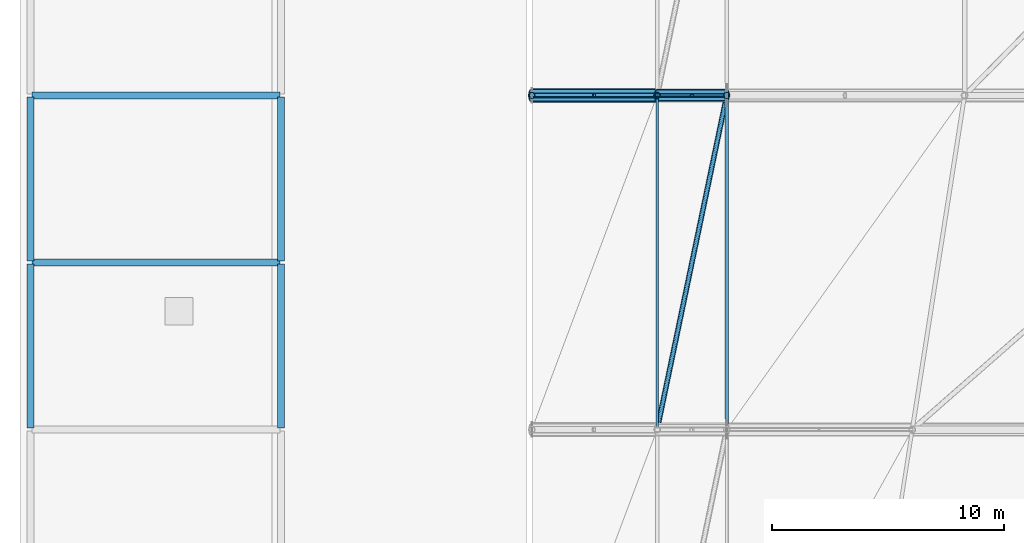
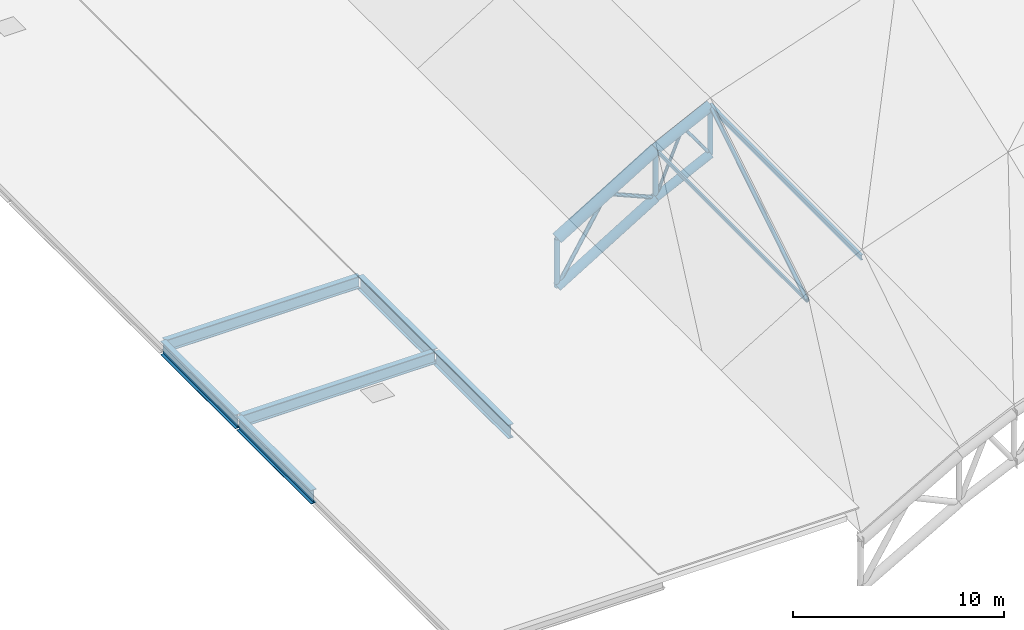
# One storey, part 3 of 36: 14 members, 6 beams.
"""IFC4 building model written with IfcOpenShell, lengths in metres."""

from ifc_helpers import new_model, si_unit, direction, frame, origin, origin_2d, place, context, subcontext, project, spatial, hollow_rectangle, hollow_circle, i_section, extrude, material, material_profile, profile_set, type_object, element, save


model = new_model("IFC4")

# Units and contexts
model_context = context("Model", 3, precision=1e-05, world=origin(), true_north=direction((0.0, 1.0)))
body_context = subcontext(model_context, "Body", "Model", "MODEL_VIEW")
ifc_project = project(units=[si_unit("LENGTHUNIT", "METRE"), si_unit("AREAUNIT", "SQUARE_METRE"), si_unit("VOLUMEUNIT", "CUBIC_METRE"), si_unit("PLANEANGLEUNIT", "RADIAN"), si_unit("MASSUNIT", "GRAM", prefix="KILO")], contexts=[model_context])

# Site, building, storey
site_placement = place(None, origin())
site = spatial("IfcSite", under=ifc_project, at=site_placement, CompositionType="ELEMENT")
building_placement = place(site_placement, origin())
building = spatial("IfcBuilding", under=site, at=building_placement, Name="Koshinbarg Plaza Stadium", CompositionType="ELEMENT")
storey_placement = place(building_placement, frame((0.0, 0.0, 34.199951171875)))
storey = spatial("IfcBuildingStorey", under=building, at=storey_placement, Name="RF", CompositionType="ELEMENT", Elevation=34.199951171875)

# Beams
ifc_material = material(Name="Steel S355", Category="steel")
ifc_material_profile_1 = material_profile(ifc_material, i_section(OverallWidth=0.300048828125, OverallDepth=0.699951171875, WebThickness=0.01708984375, FlangeThickness=0.031982421875, at=origin_2d()), Name="HEB 700")
ifc_profile_set_1 = profile_set([ifc_material_profile_1], Name="Steel S355")
beam_type_1 = type_object("IfcBeamType", Name="BM-SGIR-03", PredefinedType="USERDEFINED", material=ifc_profile_set_1)
for number, where, z_axis, x_axis, name in (
    (1, (24.659912109375, 47.10009765625, -0.64990234375), (1.0, 0.0, 0.0), (0.0, 1.0, 0.0), "RF roof girder G/5-6"),
    (2, (24.659912109375, 54.300048828125, -0.64990234375), (1.0, 0.0, 0.0), (0.0, 1.0, 0.0), "RF roof girder H/5-6"),
):
    element("IfcBeam", number, at=place(storey_placement, frame(where, z_axis=z_axis, x_axis=x_axis)), inside=storey, type_object=beam_type_1, Name=name, ObjectType="GIRDER", PredefinedType="USERDEFINED", context=body_context, shape_type="SweptSolid", body=[
        extrude(i_section(OverallWidth=0.300048828125, OverallDepth=0.699951171875, WebThickness=0.01708984375, FlangeThickness=0.031982421875, at=origin_2d()), origin(), (0.0, 0.0, 1.0), 10.68017578125),
    ])
ifc_material_profile_2 = material_profile(ifc_material, i_section(OverallWidth=0.300048828125, OverallDepth=0.800048828125, WebThickness=0.017578125, FlangeThickness=0.032958984375, at=origin_2d()), Name="HEB 800")
ifc_profile_set_2 = profile_set([ifc_material_profile_2], Name="Steel S355")
beam_type_2 = type_object("IfcBeamType", Name="BM-SGIR-04", PredefinedType="USERDEFINED", material=ifc_profile_set_2)
for number, where, z_axis, x_axis, name in (
    (3, (24.60009765625, 39.9599609375, -0.699951171875), (0.0, 1.0, 0.0), (-1.0, 0.0, 0.0), "RF roof girder 5/F-G"),
    (4, (24.60009765625, 47.159912109375, -0.699951171875), (0.0, 1.0, 0.0), (-1.0, 0.0, 0.0), "RF roof girder 5/G-H"),
    (5, (35.39990234375, 39.9599609375, -0.699951171875), (0.0, 1.0, 0.0), (-1.0, 0.0, 0.0), "RF roof girder 6/F-G"),
    (6, (35.39990234375, 47.159912109375, -0.699951171875), (0.0, 1.0, 0.0), (-1.0, 0.0, 0.0), "RF roof girder 6/G-H"),
):
    element("IfcBeam", number, at=place(storey_placement, frame(where, z_axis=z_axis, x_axis=x_axis)), inside=storey, type_object=beam_type_2, Name=name, ObjectType="GIRDER", PredefinedType="USERDEFINED", context=body_context, shape_type="SweptSolid", body=[
        extrude(i_section(OverallWidth=0.300048828125, OverallDepth=0.800048828125, WebThickness=0.017578125, FlangeThickness=0.032958984375, at=origin_2d()), origin(), (0.0, 0.0, 1.0), 7.080078125),
    ])

# Members
ifc_material_profile_3 = material_profile(ifc_material, hollow_circle(Radius=0.136474609375, WallThickness=0.012451171875, at=origin_2d()), Name="CHS 273x12.5")
ifc_profile_set_3 = profile_set([ifc_material_profile_3], Name="Steel S355")
member_type_1 = type_object("IfcMemberType", Name="MB-BRACE-02", PredefinedType="BRACE", material=ifc_profile_set_3)
for number, where, z_axis, x_axis, name in (
    (7, (46.199951171875, 54.300048828125, -4.800048828125), (0.0, 0.0, 1.0), (1.0, 0.0, 0.0), "Quarter-barrel roof truss post WRB-03-1"),
    (8, (51.60009765625, 54.300048828125, -1.51513671875), (0.0, 0.0, 1.0), (1.0, 0.0, 0.0), "Quarter-barrel roof truss post WRB-03-2"),
    (9, (54.60009765625, 54.300048828125, -0.0400390625), (0.0, 0.0, 1.0), (1.0, 0.0, 0.0), "Quarter-barrel roof truss post WRB-03-3"),
):
    element("IfcMember", number, at=place(storey_placement, frame(where, z_axis=z_axis, x_axis=x_axis)), inside=storey, type_object=member_type_1, Name=name, PredefinedType="BRACE", context=body_context, shape_type="SweptSolid", body=[
        extrude(hollow_circle(Radius=0.136474609375, WallThickness=0.012451171875, at=origin_2d()), origin(), (0.0, 0.0, 1.0), 2.800048828125),
    ])
ifc_material_profile_4 = material_profile(ifc_material, hollow_circle(Radius=0.109619140625, WallThickness=0.010009765625, at=origin_2d()), Name="CHS 219.1x10")
ifc_profile_set_4 = profile_set([ifc_material_profile_4], Name="Steel S355")
member_type_2 = type_object("IfcMemberType", Name="MB-BRACE-03", PredefinedType="BRACE", material=ifc_profile_set_4)
member_1_placement = place(storey_placement, frame((46.199951171875, 54.300048828125, -4.800048828125), z_axis=(0.519370245222, 0.0, 0.854549324719), x_axis=(0.0, 1.0, 0.0)))
element("IfcMember", 10, at=member_1_placement, inside=storey, type_object=member_type_2, Name="Quarter-barrel roof truss web diagonal WRB-03-1A", PredefinedType="BRACE", context=body_context, shape_type="SweptSolid", body=[
    extrude(hollow_circle(Radius=0.109619140625, WallThickness=0.010009765625, at=origin_2d()), origin(), (0.0, 0.0, 1.0), 5.198486328125),
])
member_2_placement = place(storey_placement, frame((48.89990234375, 54.300048828125, -0.357666015625), z_axis=(0.919114938458, 0.0, -0.393989504813), x_axis=(0.0, 1.0, 0.0)))
element("IfcMember", 11, at=member_2_placement, inside=storey, type_object=member_type_2, Name="Quarter-barrel roof truss web diagonal WRB-03-1B", PredefinedType="BRACE", context=body_context, shape_type="SweptSolid", body=[
    extrude(hollow_circle(Radius=0.109619140625, WallThickness=0.010009765625, at=origin_2d()), origin(), (0.0, 0.0, 1.0), 2.937744140625),
])
member_3_placement = place(storey_placement, frame((51.60009765625, 39.89990234375, 1.2421875), z_axis=(0.202875047794, 0.973810135422, 0.102642754894), x_axis=(-0.978980833987, 0.203952265704, 0.0)))
element("IfcMember", 12, at=member_3_placement, inside=storey, type_object=member_type_2, Name="Roof plan wind brace west bay 2.2", PredefinedType="BRACE", context=body_context, shape_type="SweptSolid", body=[
    extrude(hollow_circle(Radius=0.109619140625, WallThickness=0.010009765625, at=origin_2d()), origin(), (0.0, 0.0, 1.0), 14.787353515625),
])
ifc_material_profile_5 = material_profile(ifc_material, hollow_circle(Radius=0.084228515625, WallThickness=0.008056640625, at=origin_2d()), Name="CHS 168.3x8")
ifc_profile_set_5 = profile_set([ifc_material_profile_5], Name="Steel S355")
member_type_3 = type_object("IfcMemberType", Name="MB-BRACE-04", PredefinedType="BRACE", material=ifc_profile_set_5)
member_4_placement = place(storey_placement, frame((51.60009765625, 54.300048828125, -1.51513671875), z_axis=(0.390373616202, 0.0, 0.920656526492), x_axis=(0.0, 1.0, 0.0)))
element("IfcMember", 13, at=member_4_placement, inside=storey, type_object=member_type_3, Name="Quarter-barrel roof truss web diagonal WRB-03-2A", PredefinedType="BRACE", context=body_context, shape_type="SweptSolid", body=[
    extrude(hollow_circle(Radius=0.084228515625, WallThickness=0.008056640625, at=origin_2d()), origin(), (0.0, 0.0, 1.0), 3.842529296875),
])
member_5_placement = place(storey_placement, frame((53.10009765625, 54.300048828125, 2.0224609375), z_axis=(0.588171697675, 0.0, -0.808736084303), x_axis=(0.0, 1.0, 0.0)))
element("IfcMember", 14, at=member_5_placement, inside=storey, type_object=member_type_3, Name="Quarter-barrel roof truss web diagonal WRB-03-2B", PredefinedType="BRACE", context=body_context, shape_type="SweptSolid", body=[
    extrude(hollow_circle(Radius=0.084228515625, WallThickness=0.008056640625, at=origin_2d()), origin(), (0.0, 0.0, 1.0), 2.55029296875),
])
ifc_material_profile_6 = material_profile(ifc_material, hollow_circle(Radius=0.304931640625, WallThickness=0.02490234375, at=origin_2d()), Name="CHS 610x25")
ifc_profile_set_6 = profile_set([ifc_material_profile_6], Name="Steel S355")
member_type_4 = type_object("IfcMemberType", Name="MB-CHORD-01", PredefinedType="CHORD", material=ifc_profile_set_6)
member_6_placement = place(storey_placement, frame((46.199951171875, 54.300048828125, -2.0), z_axis=(0.854348438745, 0.0, 0.519700630377), x_axis=(0.0, 1.0, 0.0)))
element("IfcMember", 15, at=member_6_placement, inside=storey, type_object=member_type_4, Name="Quarter-barrel roof truss top chord WRB-03-1", PredefinedType="CHORD", context=body_context, shape_type="SweptSolid", body=[
    extrude(hollow_circle(Radius=0.304931640625, WallThickness=0.02490234375, at=origin_2d()), origin(), (0.0, 0.0, 1.0), 6.32080078125),
])
ifc_material_profile_7 = material_profile(ifc_material, hollow_circle(Radius=0.279541015625, WallThickness=0.022216796875, at=origin_2d()), Name="CHS 559x22.2")
ifc_profile_set_7 = profile_set([ifc_material_profile_7], Name="Steel S355")
member_type_5 = type_object("IfcMemberType", Name="MB-CHORD-02", PredefinedType="CHORD", material=ifc_profile_set_7)
member_7_placement = place(storey_placement, frame((51.60009765625, 54.300048828125, 1.284912109375), z_axis=(0.897386943952, 0.0, 0.441244459257), x_axis=(0.0, 1.0, 0.0)))
element("IfcMember", 16, at=member_7_placement, inside=storey, type_object=member_type_5, Name="Quarter-barrel roof truss top chord WRB-03-2", PredefinedType="CHORD", context=body_context, shape_type="SweptSolid", body=[
    extrude(hollow_circle(Radius=0.279541015625, WallThickness=0.022216796875, at=origin_2d()), origin(), (0.0, 0.0, 1.0), 3.343017578125),
])
ifc_material_profile_8 = material_profile(ifc_material, hollow_circle(Radius=0.25390625, WallThickness=0.02001953125, at=origin_2d()), Name="CHS 508x20")
ifc_profile_set_8 = profile_set([ifc_material_profile_8], Name="Steel S355")
member_type_6 = type_object("IfcMemberType", Name="MB-CHORD-03", PredefinedType="CHORD", material=ifc_profile_set_8)
member_8_placement = place(storey_placement, frame((46.199951171875, 54.300048828125, -4.800048828125), z_axis=(0.854348438745, 0.0, 0.519700630377), x_axis=(0.0, 1.0, 0.0)))
element("IfcMember", 17, at=member_8_placement, inside=storey, type_object=member_type_6, Name="Quarter-barrel roof truss bottom chord WRB-03-1", PredefinedType="CHORD", context=body_context, shape_type="SweptSolid", body=[
    extrude(hollow_circle(Radius=0.25390625, WallThickness=0.02001953125, at=origin_2d()), origin(), (0.0, 0.0, 1.0), 6.32080078125),
])
ifc_material_profile_9 = material_profile(ifc_material, hollow_circle(Radius=0.228515625, WallThickness=0.02001953125, at=origin_2d()), Name="CHS 457x20")
ifc_profile_set_9 = profile_set([ifc_material_profile_9], Name="Steel S355")
member_type_7 = type_object("IfcMemberType", Name="MB-CHORD-04", PredefinedType="CHORD", material=ifc_profile_set_9)
member_9_placement = place(storey_placement, frame((51.60009765625, 54.300048828125, -1.51513671875), z_axis=(0.897386943952, 0.0, 0.441244459257), x_axis=(0.0, 1.0, 0.0)))
element("IfcMember", 18, at=member_9_placement, inside=storey, type_object=member_type_7, Name="Quarter-barrel roof truss bottom chord WRB-03-2", PredefinedType="CHORD", context=body_context, shape_type="SweptSolid", body=[
    extrude(hollow_circle(Radius=0.228515625, WallThickness=0.02001953125, at=origin_2d()), origin(), (0.0, 0.0, 1.0), 3.343017578125),
])
ifc_material_profile_10 = material_profile(ifc_material, hollow_rectangle(XDim=0.10009765625, YDim=0.199951171875, WallThickness=0.008056640625, at=origin_2d()), Name="RHS 200x100x8")
ifc_profile_set_10 = profile_set([ifc_material_profile_10], Name="Steel S355")
member_type_8 = type_object("IfcMemberType", Name="MB-PURL-03", PredefinedType="PURLIN", material=ifc_profile_set_10)
member_10_placement = place(storey_placement, frame((51.60009765625, 39.89990234375, 1.22216796875), z_axis=(0.0, 0.999995598613, 0.002966943522), x_axis=(-1.0, 0.0, 0.0)))
element("IfcMember", 19, at=member_10_placement, inside=storey, type_object=member_type_8, Name="Roof longitudinal purlin west bay 2.2", PredefinedType="PURLIN", context=body_context, shape_type="SweptSolid", body=[
    extrude(hollow_rectangle(XDim=0.10009765625, YDim=0.199951171875, WallThickness=0.008056640625, at=origin_2d()), origin(), (0.0, 0.0, 1.0), 14.400146484375),
])
ifc_material_profile_11 = material_profile(ifc_material, i_section(OverallWidth=0.14990234375, OverallDepth=0.300048828125, WebThickness=0.007080078125, FlangeThickness=0.0107421875, at=origin_2d()), Name="IPE 300")
ifc_profile_set_11 = profile_set([ifc_material_profile_11], Name="Steel S355")
member_type_9 = type_object("IfcMemberType", Name="MB-PURL-04", PredefinedType="PURLIN", material=ifc_profile_set_11)
member_11_placement = place(storey_placement, frame((54.60009765625, 39.89990234375, 2.677001953125), z_axis=(0.0, 0.999990433579, 0.004374099857), x_axis=(-1.0, 0.0, 0.0)))
element("IfcMember", 20, at=member_11_placement, inside=storey, type_object=member_type_9, Name="Roof longitudinal purlin west bay 2.3", PredefinedType="PURLIN", context=body_context, shape_type="SweptSolid", body=[
    extrude(i_section(OverallWidth=0.14990234375, OverallDepth=0.300048828125, WebThickness=0.007080078125, FlangeThickness=0.0107421875, at=origin_2d()), origin(), (0.0, 0.0, 1.0), 14.400390625),
])

save(model, "model.ifc")
